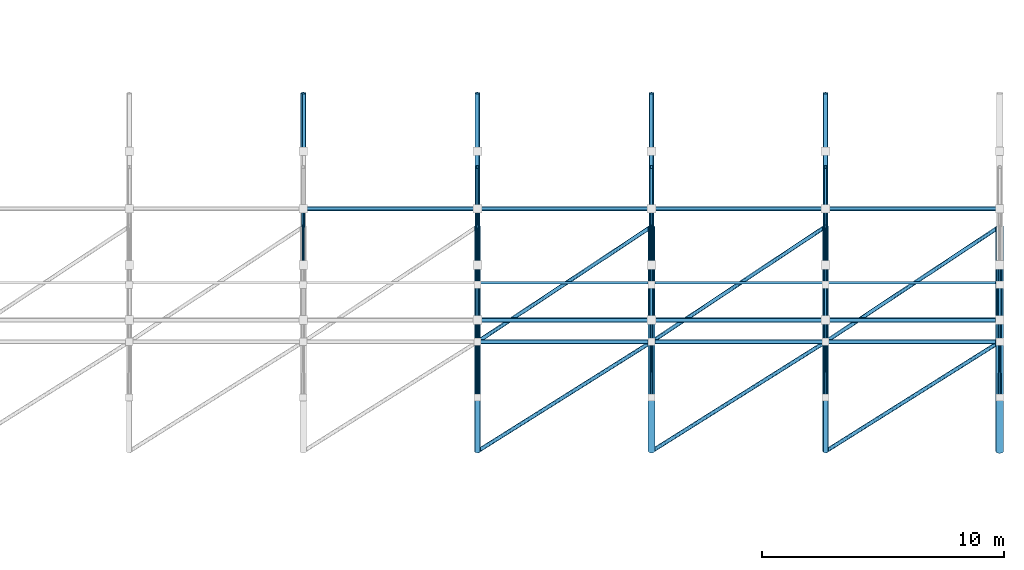
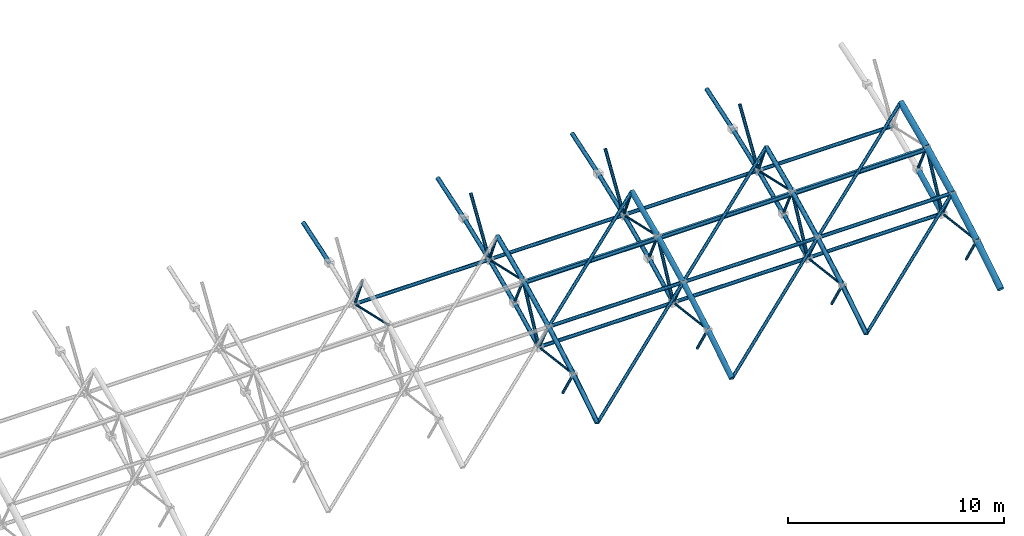
# One storey, part 53 of 89: 80 members.
"""IFC4 building model written with IfcOpenShell, lengths in metres."""

from ifc_helpers import new_model, si_unit, direction, frame, origin, origin_2d, place, context, subcontext, project, spatial, hollow_circle, i_section, extrude, material, material_profile, profile_set, type_object, element, save


model = new_model("IFC4")

# Units and contexts
model_context = context("Model", 3, precision=1e-05, world=origin(), true_north=direction((0.0, 1.0)))
body_context = subcontext(model_context, "Body", "Model", "MODEL_VIEW")
ifc_project = project(units=[si_unit("LENGTHUNIT", "METRE"), si_unit("AREAUNIT", "SQUARE_METRE"), si_unit("VOLUMEUNIT", "CUBIC_METRE"), si_unit("PLANEANGLEUNIT", "RADIAN"), si_unit("MASSUNIT", "GRAM", prefix="KILO")], contexts=[model_context])

# Site, building, storey
site_placement = place(None, origin())
site = spatial("IfcSite", under=ifc_project, at=site_placement, CompositionType="ELEMENT")
building_placement = place(site_placement, origin())
building = spatial("IfcBuilding", under=site, at=building_placement, Name="Malvenik Polytechnic", CompositionType="ELEMENT")
storey_placement = place(building_placement, frame((0.0, 0.0, 13.5)))
storey = spatial("IfcBuildingStorey", under=building, at=storey_placement, Name="L03", CompositionType="ELEMENT", Elevation=13.5)

# Members
ifc_material_1 = material(Name="Steel S355J2H", Category="steel")
ifc_material_profile_1 = material_profile(ifc_material_1, hollow_circle(Radius=0.136474609375, WallThickness=0.010009765625, at=origin_2d()), Name="CHS 273.0x10.0")
ifc_profile_set_1 = profile_set([ifc_material_profile_1], Name="Steel S355J2H")
member_type_1 = type_object("IfcMemberType", Name="STR-MEM-SFB-01", PredefinedType="CHORD", material=ifc_profile_set_1)
member_1_placement = place(storey_placement, frame((184.800048828125, 40.3701171875, 0.5078125), z_axis=(0.0, 0.894003091433, 0.448060791086), x_axis=(-1.0, 0.0, 0.0)))
element("IfcMember", 1, at=member_1_placement, inside=storey, type_object=member_type_1, Name="Space-Frame Tube SFB-01 STR-SF-BC-0684", PredefinedType="CHORD", context=body_context, shape_type="SweptSolid", body=[
    extrude(hollow_circle(Radius=0.136474609375, WallThickness=0.010009765625, at=origin_2d()), origin(), (0.0, 0.0, 1.0), 2.535400390625),
])
ifc_material_profile_2 = material_profile(ifc_material_1, hollow_circle(Radius=0.109619140625, WallThickness=0.010009765625, at=origin_2d()), Name="CHS 219.1x10.0")
ifc_profile_set_2 = profile_set([ifc_material_profile_2], Name="Steel S355J2H")
member_type_2 = type_object("IfcMemberType", Name="STR-MEM-SFB-02", PredefinedType="CHORD", material=ifc_profile_set_2)
member_2_placement = place(storey_placement, frame((156.0, 47.3447265625, 3.58642578125), z_axis=(0.0, 0.949889677261, 0.312585349999), x_axis=(-1.0, 0.0, 0.0)))
element("IfcMember", 2, at=member_2_placement, inside=storey, type_object=member_type_2, Name="Space-Frame Tube SFB-02 STR-SF-BC-0302", PredefinedType="CHORD", context=body_context, shape_type="SweptSolid", body=[
    extrude(hollow_circle(Radius=0.109619140625, WallThickness=0.010009765625, at=origin_2d()), origin(), (0.0, 0.0, 1.0), 2.53515625),
])
for number, where, z_axis, x_axis, name in (
    (3, (170.39990234375, 40.3701171875, 0.5078125), (0.0, 0.894003091433, 0.448060791086), (-1.0, 0.0, 0.0), "Space-Frame Tube SFB-02 STR-SF-BC-0490"),
    (4, (170.39990234375, 42.643798828125, 1.647216796875), (0.0, 0.914781782252, 0.403948376479), (-1.0, 0.0, 0.0), "Space-Frame Tube SFB-02 STR-SF-BC-0492"),
    (5, (170.39990234375, 44.970458984375, 2.67431640625), (0.0, 0.933457240212, 0.358688696079), (-1.0, 0.0, 0.0), "Space-Frame Tube SFB-02 STR-SF-BC-0494"),
):
    element("IfcMember", number, at=place(storey_placement, frame(where, z_axis=z_axis, x_axis=x_axis)), inside=storey, type_object=member_type_2, Name=name, PredefinedType="CHORD", context=body_context, shape_type="SweptSolid", body=[
        extrude(hollow_circle(Radius=0.109619140625, WallThickness=0.010009765625, at=origin_2d()), origin(), (0.0, 0.0, 1.0), 2.535400390625),
    ])
member_3_placement = place(storey_placement, frame((170.39990234375, 47.3447265625, 3.58642578125), z_axis=(0.0, 0.949889677261, 0.312585349999), x_axis=(-1.0, 0.0, 0.0)))
element("IfcMember", 6, at=member_3_placement, inside=storey, type_object=member_type_2, Name="Space-Frame Tube SFB-02 STR-SF-BC-0496", PredefinedType="CHORD", context=body_context, shape_type="SweptSolid", body=[
    extrude(hollow_circle(Radius=0.109619140625, WallThickness=0.010009765625, at=origin_2d()), origin(), (0.0, 0.0, 1.0), 2.53515625),
])
ifc_material_profile_3 = material_profile(ifc_material_1, hollow_circle(Radius=0.109619140625, WallThickness=0.008056640625, at=origin_2d()), Name="CHS 219.1x8.0")
ifc_profile_set_3 = profile_set([ifc_material_profile_3], Name="Steel S355J2H")
member_type_3 = type_object("IfcMemberType", Name="STR-MEM-SFB-03", PredefinedType="CHORD", material=ifc_profile_set_3)
for number, where, z_axis, x_axis, name in (
    (7, (163.199951171875, 40.3701171875, 0.5078125), (0.0, 0.894003091433, 0.448060791086), (-1.0, 0.0, 0.0), "Space-Frame Tube SFB-03 STR-SF-BC-0393"),
    (8, (163.199951171875, 42.643798828125, 1.647216796875), (0.0, 0.914781782252, 0.403948376479), (-1.0, 0.0, 0.0), "Space-Frame Tube SFB-03 STR-SF-BC-0395"),
    (9, (163.199951171875, 44.970458984375, 2.67431640625), (0.0, 0.933457240212, 0.358688696079), (-1.0, 0.0, 0.0), "Space-Frame Tube SFB-03 STR-SF-BC-0397"),
):
    element("IfcMember", number, at=place(storey_placement, frame(where, z_axis=z_axis, x_axis=x_axis)), inside=storey, type_object=member_type_3, Name=name, PredefinedType="CHORD", context=body_context, shape_type="SweptSolid", body=[
        extrude(hollow_circle(Radius=0.109619140625, WallThickness=0.008056640625, at=origin_2d()), origin(), (0.0, 0.0, 1.0), 2.535400390625),
    ])
member_4_placement = place(storey_placement, frame((163.199951171875, 47.3447265625, 3.58642578125), z_axis=(0.0, 0.949889677261, 0.312585349999), x_axis=(-1.0, 0.0, 0.0)))
element("IfcMember", 10, at=member_4_placement, inside=storey, type_object=member_type_3, Name="Space-Frame Tube SFB-03 STR-SF-BC-0399", PredefinedType="CHORD", context=body_context, shape_type="SweptSolid", body=[
    extrude(hollow_circle(Radius=0.109619140625, WallThickness=0.008056640625, at=origin_2d()), origin(), (0.0, 0.0, 1.0), 2.53515625),
])
for number, where, z_axis, x_axis, name in (
    (11, (177.60009765625, 40.3701171875, 0.5078125), (0.0, 0.894003091433, 0.448060791086), (-1.0, 0.0, 0.0), "Space-Frame Tube SFB-03 STR-SF-BC-0587"),
    (12, (177.60009765625, 42.643798828125, 1.647216796875), (0.0, 0.914781782252, 0.403948376479), (-1.0, 0.0, 0.0), "Space-Frame Tube SFB-03 STR-SF-BC-0589"),
    (13, (177.60009765625, 44.970458984375, 2.67431640625), (0.0, 0.933457240212, 0.358688696079), (-1.0, 0.0, 0.0), "Space-Frame Tube SFB-03 STR-SF-BC-0591"),
):
    element("IfcMember", number, at=place(storey_placement, frame(where, z_axis=z_axis, x_axis=x_axis)), inside=storey, type_object=member_type_3, Name=name, PredefinedType="CHORD", context=body_context, shape_type="SweptSolid", body=[
        extrude(hollow_circle(Radius=0.109619140625, WallThickness=0.008056640625, at=origin_2d()), origin(), (0.0, 0.0, 1.0), 2.535400390625),
    ])
member_5_placement = place(storey_placement, frame((177.60009765625, 47.3447265625, 3.58642578125), z_axis=(0.0, 0.949889677261, 0.312585349999), x_axis=(-1.0, 0.0, 0.0)))
element("IfcMember", 14, at=member_5_placement, inside=storey, type_object=member_type_3, Name="Space-Frame Tube SFB-03 STR-SF-BC-0593", PredefinedType="CHORD", context=body_context, shape_type="SweptSolid", body=[
    extrude(hollow_circle(Radius=0.109619140625, WallThickness=0.008056640625, at=origin_2d()), origin(), (0.0, 0.0, 1.0), 2.53515625),
])
ifc_material_profile_4 = material_profile(ifc_material_1, hollow_circle(Radius=0.084228515625, WallThickness=0.00634765625, at=origin_2d()), Name="CHS 168.3x6.3")
ifc_profile_set_4 = profile_set([ifc_material_profile_4], Name="Steel S355J2H")
member_type_4 = type_object("IfcMemberType", Name="STR-MEM-SFD-02", PredefinedType="BRACE", material=ifc_profile_set_4)
member_6_placement = place(storey_placement, frame((163.199951171875, 40.368408203125, 0.509521484375), z_axis=(0.0, 0.450365953403, 0.892844055821), x_axis=(-1.0, 0.0, 0.0)))
element("IfcMember", 15, at=member_6_placement, inside=storey, type_object=member_type_4, Name="Space-Frame Tube SFD-02 STR-SF-AD-0464", PredefinedType="BRACE", context=body_context, shape_type="SweptSolid", body=[
    extrude(hollow_circle(Radius=0.084228515625, WallThickness=0.00634765625, at=origin_2d()), origin(), (0.0, 0.0, 1.0), 3.218994140625),
])
member_7_placement = place(storey_placement, frame((163.199951171875, 44.968994140625, 2.676513671875), z_axis=(0.0, 0.535421954328, 0.844584709087), x_axis=(-1.0, 0.0, 0.0)))
element("IfcMember", 16, at=member_7_placement, inside=storey, type_object=member_type_4, Name="Space-Frame Tube SFD-02 STR-SF-AD-0466", PredefinedType="BRACE", context=body_context, shape_type="SweptSolid", body=[
    extrude(hollow_circle(Radius=0.084228515625, WallThickness=0.00634765625, at=origin_2d()), origin(), (0.0, 0.0, 1.0), 3.21875),
])
member_8_placement = place(storey_placement, frame((170.39990234375, 40.368408203125, 0.509521484375), z_axis=(0.0, 0.450365953403, 0.892844055821), x_axis=(-1.0, 0.0, 0.0)))
element("IfcMember", 17, at=member_8_placement, inside=storey, type_object=member_type_4, Name="Space-Frame Tube SFD-02 STR-SF-AD-0561", PredefinedType="BRACE", context=body_context, shape_type="SweptSolid", body=[
    extrude(hollow_circle(Radius=0.084228515625, WallThickness=0.00634765625, at=origin_2d()), origin(), (0.0, 0.0, 1.0), 3.218994140625),
])
member_9_placement = place(storey_placement, frame((170.39990234375, 44.968994140625, 2.676513671875), z_axis=(0.0, 0.535421954328, 0.844584709087), x_axis=(-1.0, 0.0, 0.0)))
element("IfcMember", 18, at=member_9_placement, inside=storey, type_object=member_type_4, Name="Space-Frame Tube SFD-02 STR-SF-AD-0563", PredefinedType="BRACE", context=body_context, shape_type="SweptSolid", body=[
    extrude(hollow_circle(Radius=0.084228515625, WallThickness=0.00634765625, at=origin_2d()), origin(), (0.0, 0.0, 1.0), 3.21875),
])
member_10_placement = place(storey_placement, frame((177.60009765625, 40.368408203125, 0.509521484375), z_axis=(0.0, 0.450365953403, 0.892844055821), x_axis=(-1.0, 0.0, 0.0)))
element("IfcMember", 19, at=member_10_placement, inside=storey, type_object=member_type_4, Name="Space-Frame Tube SFD-02 STR-SF-AD-0658", PredefinedType="BRACE", context=body_context, shape_type="SweptSolid", body=[
    extrude(hollow_circle(Radius=0.084228515625, WallThickness=0.00634765625, at=origin_2d()), origin(), (0.0, 0.0, 1.0), 3.218994140625),
])
member_11_placement = place(storey_placement, frame((177.60009765625, 44.968994140625, 2.676513671875), z_axis=(0.0, 0.535421954328, 0.844584709087), x_axis=(-1.0, 0.0, 0.0)))
element("IfcMember", 20, at=member_11_placement, inside=storey, type_object=member_type_4, Name="Space-Frame Tube SFD-02 STR-SF-AD-0660", PredefinedType="BRACE", context=body_context, shape_type="SweptSolid", body=[
    extrude(hollow_circle(Radius=0.084228515625, WallThickness=0.00634765625, at=origin_2d()), origin(), (0.0, 0.0, 1.0), 3.21875),
])
member_12_placement = place(storey_placement, frame((184.800048828125, 40.368408203125, 0.509521484375), z_axis=(0.0, 0.450365953403, 0.892844055821), x_axis=(-1.0, 0.0, 0.0)))
element("IfcMember", 21, at=member_12_placement, inside=storey, type_object=member_type_4, Name="Space-Frame Tube SFD-02 STR-SF-AD-0755", PredefinedType="BRACE", context=body_context, shape_type="SweptSolid", body=[
    extrude(hollow_circle(Radius=0.084228515625, WallThickness=0.00634765625, at=origin_2d()), origin(), (0.0, 0.0, 1.0), 3.218994140625),
])
for number, where, z_axis, x_axis, name in (
    (22, (163.203125, 34.935791015625, -0.49609375), (0.806747277077, 0.507403378204, 0.302821139809), (-0.532400985757, 0.846492286064, 0.0), "Space-Frame Tube SFD-02 STR-SF-SD-0971"),
    (23, (163.203125, 39.464111328125, 2.206298828125), (0.806760787968, 0.534545761531, 0.251789316347), (-0.552341045188, 0.833618239844, 0.0), "Space-Frame Tube SFD-02 STR-SF-SD-0972"),
):
    element("IfcMember", number, at=place(storey_placement, frame(where, z_axis=z_axis, x_axis=x_axis)), inside=storey, type_object=member_type_4, Name=name, PredefinedType="BRACE", context=body_context, shape_type="SweptSolid", body=[
        extrude(hollow_circle(Radius=0.084228515625, WallThickness=0.00634765625, at=origin_2d()), origin(), (0.0, 0.0, 1.0), 8.916748046875),
    ])
for number, where, z_axis, x_axis, name in (
    (24, (170.4033203125, 34.935791015625, -0.49609375), (0.806737716844, 0.507414586226, 0.302827828818), (-0.532413933286, 0.846484142582, 0.0), "Space-Frame Tube SFD-02 STR-SF-SD-1013"),
    (25, (170.4033203125, 39.464111328125, 2.206298828125), (0.806751228172, 0.534557569495, 0.251794878301), (-0.552354072154, 0.833609608255, 0.0), "Space-Frame Tube SFD-02 STR-SF-SD-1014"),
):
    element("IfcMember", number, at=place(storey_placement, frame(where, z_axis=z_axis, x_axis=x_axis)), inside=storey, type_object=member_type_4, Name=name, PredefinedType="BRACE", context=body_context, shape_type="SweptSolid", body=[
        extrude(hollow_circle(Radius=0.084228515625, WallThickness=0.00634765625, at=origin_2d()), origin(), (0.0, 0.0, 1.0), 8.91650390625),
    ])
for number, where, z_axis, x_axis, name in (
    (26, (177.603271484375, 34.935791015625, -0.49609375), (0.806747277077, 0.507403378204, 0.302821139809), (-0.532400985757, 0.846492286064, 0.0), "Space-Frame Tube SFD-02 STR-SF-SD-1055"),
    (27, (177.603271484375, 39.464111328125, 2.206298828125), (0.806760787968, 0.534545761531, 0.251789316347), (-0.552341045188, 0.833618239844, 0.0), "Space-Frame Tube SFD-02 STR-SF-SD-1056"),
):
    element("IfcMember", number, at=place(storey_placement, frame(where, z_axis=z_axis, x_axis=x_axis)), inside=storey, type_object=member_type_4, Name=name, PredefinedType="BRACE", context=body_context, shape_type="SweptSolid", body=[
        extrude(hollow_circle(Radius=0.084228515625, WallThickness=0.00634765625, at=origin_2d()), origin(), (0.0, 0.0, 1.0), 8.916748046875),
    ])
ifc_material_profile_5 = material_profile(ifc_material_1, hollow_circle(Radius=0.06982421875, WallThickness=0.00634765625, at=origin_2d()), Name="CHS 139.7x6.3")
ifc_profile_set_5 = profile_set([ifc_material_profile_5], Name="Steel S355J2H")
member_type_5 = type_object("IfcMemberType", Name="STR-MEM-SFD-03", PredefinedType="BRACE", material=ifc_profile_set_5)
for number, where, z_axis, x_axis, name in (
    (28, (156.0, 44.96533203125, 2.6767578125), (0.0, -0.381447924526, 0.924390329285), (1.0, 0.0, 0.0), "Space-Frame Tube SFD-03 STR-SF-WB-0344"),
    (29, (163.199951171875, 38.1494140625, -0.740234375), (0.0, -0.512452965651, 0.858715295075), (1.0, 0.0, 0.0), "Space-Frame Tube SFD-03 STR-SF-WB-0438"),
    (30, (163.199951171875, 40.36474609375, 0.509521484375), (0.0, -0.469841077687, 0.882751019097), (1.0, 0.0, 0.0), "Space-Frame Tube SFD-03 STR-SF-WB-0439"),
    (31, (163.199951171875, 42.638427734375, 1.6494140625), (0.0, -0.426152750684, 0.904651221789), (1.0, 0.0, 0.0), "Space-Frame Tube SFD-03 STR-SF-WB-0440"),
    (32, (163.199951171875, 44.96533203125, 2.6767578125), (0.0, -0.381447924526, 0.924390329285), (1.0, 0.0, 0.0), "Space-Frame Tube SFD-03 STR-SF-WB-0441"),
    (33, (170.39990234375, 38.1494140625, -0.740234375), (0.0, -0.512452965651, 0.858715295075), (1.0, 0.0, 0.0), "Space-Frame Tube SFD-03 STR-SF-WB-0535"),
    (34, (170.39990234375, 40.36474609375, 0.509521484375), (0.0, -0.469841077687, 0.882751019097), (1.0, 0.0, 0.0), "Space-Frame Tube SFD-03 STR-SF-WB-0536"),
    (35, (170.39990234375, 42.638427734375, 1.6494140625), (0.0, -0.426152750684, 0.904651221789), (1.0, 0.0, 0.0), "Space-Frame Tube SFD-03 STR-SF-WB-0537"),
    (36, (170.39990234375, 44.96533203125, 2.6767578125), (0.0, -0.381447924526, 0.924390329285), (1.0, 0.0, 0.0), "Space-Frame Tube SFD-03 STR-SF-WB-0538"),
    (37, (177.60009765625, 38.1494140625, -0.740234375), (0.0, -0.512452965651, 0.858715295075), (1.0, 0.0, 0.0), "Space-Frame Tube SFD-03 STR-SF-WB-0632"),
    (38, (177.60009765625, 40.36474609375, 0.509521484375), (0.0, -0.469841077687, 0.882751019097), (1.0, 0.0, 0.0), "Space-Frame Tube SFD-03 STR-SF-WB-0633"),
    (39, (177.60009765625, 42.638427734375, 1.6494140625), (0.0, -0.426152750684, 0.904651221789), (1.0, 0.0, 0.0), "Space-Frame Tube SFD-03 STR-SF-WB-0634"),
    (40, (177.60009765625, 44.96533203125, 2.6767578125), (0.0, -0.381447924526, 0.924390329285), (1.0, 0.0, 0.0), "Space-Frame Tube SFD-03 STR-SF-WB-0635"),
    (41, (184.800048828125, 38.1494140625, -0.740234375), (0.0, -0.512452965651, 0.858715295075), (1.0, 0.0, 0.0), "Space-Frame Tube SFD-03 STR-SF-WB-0729"),
    (42, (184.800048828125, 40.36474609375, 0.509521484375), (0.0, -0.469841077687, 0.882751019097), (1.0, 0.0, 0.0), "Space-Frame Tube SFD-03 STR-SF-WB-0730"),
    (43, (184.800048828125, 42.638427734375, 1.6494140625), (0.0, -0.426152750684, 0.904651221789), (1.0, 0.0, 0.0), "Space-Frame Tube SFD-03 STR-SF-WB-0731"),
):
    element("IfcMember", number, at=place(storey_placement, frame(where, z_axis=z_axis, x_axis=x_axis)), inside=storey, type_object=member_type_5, Name=name, PredefinedType="BRACE", context=body_context, shape_type="SweptSolid", body=[
        extrude(hollow_circle(Radius=0.06982421875, WallThickness=0.00634765625, at=origin_2d()), origin(), (0.0, 0.0, 1.0), 1.9169921875),
    ])
ifc_material_profile_6 = material_profile(ifc_material_1, hollow_circle(Radius=0.05712890625, WallThickness=0.0048828125, at=origin_2d()), Name="CHS 114.3x5.0")
ifc_profile_set_6 = profile_set([ifc_material_profile_6], Name="Steel S355J2H")
member_type_6 = type_object("IfcMemberType", Name="STR-MEM-SFD-04", PredefinedType="BRACE", material=ifc_profile_set_6)
member_13_placement = place(storey_placement, frame((156.0, 41.82373046875, 3.38623046875), z_axis=(0.0, 0.975202839924, -0.221312948118), x_axis=(-1.0, 0.0, 0.0)))
element("IfcMember", 44, at=member_13_placement, inside=storey, type_object=member_type_6, Name="Space-Frame Tube SFD-04 STR-SF-AD-0368", PredefinedType="BRACE", context=body_context, shape_type="SweptSolid", body=[
    extrude(hollow_circle(Radius=0.05712890625, WallThickness=0.0048828125, at=origin_2d()), origin(), (0.0, 0.0, 1.0), 3.218994140625),
])
member_14_placement = place(storey_placement, frame((163.199951171875, 37.1689453125, 0.908935546875), z_axis=(0.0, 0.992157222226, -0.124996185477), x_axis=(-1.0, 0.0, 0.0)))
element("IfcMember", 45, at=member_14_placement, inside=storey, type_object=member_type_6, Name="Space-Frame Tube SFD-04 STR-SF-AD-0463", PredefinedType="BRACE", context=body_context, shape_type="SweptSolid", body=[
    extrude(hollow_circle(Radius=0.05712890625, WallThickness=0.0048828125, at=origin_2d()), origin(), (0.0, 0.0, 1.0), 3.21875),
])
member_15_placement = place(storey_placement, frame((163.199951171875, 41.82373046875, 3.38623046875), z_axis=(0.0, 0.975202839924, -0.221312948118), x_axis=(-1.0, 0.0, 0.0)))
element("IfcMember", 46, at=member_15_placement, inside=storey, type_object=member_type_6, Name="Space-Frame Tube SFD-04 STR-SF-AD-0465", PredefinedType="BRACE", context=body_context, shape_type="SweptSolid", body=[
    extrude(hollow_circle(Radius=0.05712890625, WallThickness=0.0048828125, at=origin_2d()), origin(), (0.0, 0.0, 1.0), 3.218994140625),
])
member_16_placement = place(storey_placement, frame((170.39990234375, 37.1689453125, 0.908935546875), z_axis=(0.0, 0.992157222226, -0.124996185477), x_axis=(-1.0, 0.0, 0.0)))
element("IfcMember", 47, at=member_16_placement, inside=storey, type_object=member_type_6, Name="Space-Frame Tube SFD-04 STR-SF-AD-0560", PredefinedType="BRACE", context=body_context, shape_type="SweptSolid", body=[
    extrude(hollow_circle(Radius=0.05712890625, WallThickness=0.0048828125, at=origin_2d()), origin(), (0.0, 0.0, 1.0), 3.21875),
])
member_17_placement = place(storey_placement, frame((170.39990234375, 41.82373046875, 3.38623046875), z_axis=(0.0, 0.975202839924, -0.221312948118), x_axis=(-1.0, 0.0, 0.0)))
element("IfcMember", 48, at=member_17_placement, inside=storey, type_object=member_type_6, Name="Space-Frame Tube SFD-04 STR-SF-AD-0562", PredefinedType="BRACE", context=body_context, shape_type="SweptSolid", body=[
    extrude(hollow_circle(Radius=0.05712890625, WallThickness=0.0048828125, at=origin_2d()), origin(), (0.0, 0.0, 1.0), 3.218994140625),
])
member_18_placement = place(storey_placement, frame((177.60009765625, 37.1689453125, 0.908935546875), z_axis=(0.0, 0.992157222226, -0.124996185477), x_axis=(-1.0, 0.0, 0.0)))
element("IfcMember", 49, at=member_18_placement, inside=storey, type_object=member_type_6, Name="Space-Frame Tube SFD-04 STR-SF-AD-0657", PredefinedType="BRACE", context=body_context, shape_type="SweptSolid", body=[
    extrude(hollow_circle(Radius=0.05712890625, WallThickness=0.0048828125, at=origin_2d()), origin(), (0.0, 0.0, 1.0), 3.21875),
])
member_19_placement = place(storey_placement, frame((177.60009765625, 41.82373046875, 3.38623046875), z_axis=(0.0, 0.975202839924, -0.221312948118), x_axis=(-1.0, 0.0, 0.0)))
element("IfcMember", 50, at=member_19_placement, inside=storey, type_object=member_type_6, Name="Space-Frame Tube SFD-04 STR-SF-AD-0659", PredefinedType="BRACE", context=body_context, shape_type="SweptSolid", body=[
    extrude(hollow_circle(Radius=0.05712890625, WallThickness=0.0048828125, at=origin_2d()), origin(), (0.0, 0.0, 1.0), 3.218994140625),
])
member_20_placement = place(storey_placement, frame((184.800048828125, 37.1689453125, 0.908935546875), z_axis=(0.0, 0.992157222226, -0.124996185477), x_axis=(-1.0, 0.0, 0.0)))
element("IfcMember", 51, at=member_20_placement, inside=storey, type_object=member_type_6, Name="Space-Frame Tube SFD-04 STR-SF-AD-0754", PredefinedType="BRACE", context=body_context, shape_type="SweptSolid", body=[
    extrude(hollow_circle(Radius=0.05712890625, WallThickness=0.0048828125, at=origin_2d()), origin(), (0.0, 0.0, 1.0), 3.21875),
])
ifc_material_profile_7 = material_profile(ifc_material_1, hollow_circle(Radius=0.096923828125, WallThickness=0.008056640625, at=origin_2d()), Name="CHS 193.7x8.0")
ifc_profile_set_7 = profile_set([ifc_material_profile_7], Name="Steel S355J2H")
member_type_7 = type_object("IfcMemberType", Name="STR-MEM-SFL-01", PredefinedType="CHORD", material=ifc_profile_set_7)
member_21_placement = place(storey_placement, frame((156.00390625, 44.966796875, 2.673095703125), z_axis=(1.0, 0.0, 0.0), x_axis=(0.0, 1.0, 0.0)))
element("IfcMember", 52, at=member_21_placement, inside=storey, type_object=member_type_7, Name="Space-Frame Tube SFL-01 STR-SF-LB-0907", PredefinedType="CHORD", context=body_context, shape_type="SweptSolid", body=[
    extrude(hollow_circle(Radius=0.096923828125, WallThickness=0.008056640625, at=origin_2d()), origin(), (0.0, 0.0, 1.0), 7.192138671875),
])
for number, where, z_axis, x_axis, name in (
    (53, (163.2041015625, 40.36669921875, 0.506103515625), (1.0, 0.0, 0.0), (0.0, 1.0, 0.0), "Space-Frame Tube SFL-01 STR-SF-LB-0947"),
    (54, (163.2041015625, 39.462158203125, 2.205078125), (1.0, 0.0, 0.0), (0.0, 1.0, 0.0), "Space-Frame Tube SFL-01 STR-SF-LT-0948"),
    (55, (163.2041015625, 44.966796875, 2.673095703125), (1.0, 0.0, 0.0), (0.0, 1.0, 0.0), "Space-Frame Tube SFL-01 STR-SF-LB-0949"),
    (56, (170.404052734375, 40.36669921875, 0.506103515625), (1.0, 0.0, 0.0), (0.0, 1.0, 0.0), "Space-Frame Tube SFL-01 STR-SF-LB-0989"),
    (57, (170.404052734375, 39.462158203125, 2.205078125), (1.0, 0.0, 0.0), (0.0, 1.0, 0.0), "Space-Frame Tube SFL-01 STR-SF-LT-0990"),
    (58, (170.404052734375, 44.966796875, 2.673095703125), (1.0, 0.0, 0.0), (0.0, 1.0, 0.0), "Space-Frame Tube SFL-01 STR-SF-LB-0991"),
    (59, (177.60400390625, 40.36669921875, 0.506103515625), (1.0, 0.0, 0.0), (0.0, 1.0, 0.0), "Space-Frame Tube SFL-01 STR-SF-LB-1031"),
    (60, (177.60400390625, 39.462158203125, 2.205078125), (1.0, 0.0, 0.0), (0.0, 1.0, 0.0), "Space-Frame Tube SFL-01 STR-SF-LT-1032"),
    (61, (177.60400390625, 44.966796875, 2.673095703125), (1.0, 0.0, 0.0), (0.0, 1.0, 0.0), "Space-Frame Tube SFL-01 STR-SF-LB-1033"),
):
    element("IfcMember", number, at=place(storey_placement, frame(where, z_axis=z_axis, x_axis=x_axis)), inside=storey, type_object=member_type_7, Name=name, PredefinedType="CHORD", context=body_context, shape_type="SweptSolid", body=[
        extrude(hollow_circle(Radius=0.096923828125, WallThickness=0.008056640625, at=origin_2d()), origin(), (0.0, 0.0, 1.0), 7.19189453125),
    ])
ifc_material_2 = material(Name="Steel S355", Category="steel")
ifc_material_profile_8 = material_profile(ifc_material_2, i_section(OverallWidth=0.1201171875, OverallDepth=0.239990234375, WebThickness=0.006103515625, FlangeThickness=0.009765625, FilletRadius=0.014892578125, at=origin_2d()), Name="IPE 240")
ifc_profile_set_8 = profile_set([ifc_material_profile_8], Name="Steel S355")
member_type_8 = type_object("IfcMemberType", Name="STR-MEM-SFP-01", PredefinedType="PURLIN", material=ifc_profile_set_8)
member_22_placement = place(storey_placement, frame((163.219970703125, 41.9072265625, 3.201904296875), z_axis=(1.0, 0.0, 0.0), x_axis=(0.0, 1.0, 0.0)))
element("IfcMember", 62, at=member_22_placement, inside=storey, type_object=member_type_8, Name="Vault Roof Purlin SFP-01 #983", PredefinedType="PURLIN", context=body_context, shape_type="SweptSolid", body=[
    extrude(i_section(OverallWidth=0.1201171875, OverallDepth=0.239990234375, WebThickness=0.006103515625, FlangeThickness=0.009765625, FilletRadius=0.014892578125, at=origin_2d()), origin(), (0.0, 0.0, 1.0), 7.159912109375),
])
member_23_placement = place(storey_placement, frame((170.419921875, 41.9072265625, 3.201904296875), z_axis=(1.0, 0.0, 0.0), x_axis=(0.0, 1.0, 0.0)))
element("IfcMember", 63, at=member_23_placement, inside=storey, type_object=member_type_8, Name="Vault Roof Purlin SFP-01 #1025", PredefinedType="PURLIN", context=body_context, shape_type="SweptSolid", body=[
    extrude(i_section(OverallWidth=0.1201171875, OverallDepth=0.239990234375, WebThickness=0.006103515625, FlangeThickness=0.009765625, FilletRadius=0.014892578125, at=origin_2d()), origin(), (0.0, 0.0, 1.0), 7.16015625),
])
member_24_placement = place(storey_placement, frame((177.6201171875, 41.9072265625, 3.201904296875), z_axis=(1.0, 0.0, 0.0), x_axis=(0.0, 1.0, 0.0)))
element("IfcMember", 64, at=member_24_placement, inside=storey, type_object=member_type_8, Name="Vault Roof Purlin SFP-01 #1067", PredefinedType="PURLIN", context=body_context, shape_type="SweptSolid", body=[
    extrude(i_section(OverallWidth=0.1201171875, OverallDepth=0.239990234375, WebThickness=0.006103515625, FlangeThickness=0.009765625, FilletRadius=0.014892578125, at=origin_2d()), origin(), (0.0, 0.0, 1.0), 7.159912109375),
])
ifc_material_profile_9 = material_profile(ifc_material_1, hollow_circle(Radius=0.136474609375, WallThickness=0.012451171875, at=origin_2d()), Name="CHS 273.0x12.5")
ifc_profile_set_9 = profile_set([ifc_material_profile_9], Name="Steel S355J2H")
member_type_9 = type_object("IfcMemberType", Name="STR-MEM-SFT-02", PredefinedType="CHORD", material=ifc_profile_set_9)
member_25_placement = place(storey_placement, frame((170.39990234375, 34.937255859375, -0.4951171875), z_axis=(0.0, 0.845921049745, 0.53330814507), x_axis=(-1.0, 0.0, 0.0)))
element("IfcMember", 65, at=member_25_placement, inside=storey, type_object=member_type_9, Name="Space-Frame Tube SFT-02 STR-SF-TC-0487", PredefinedType="CHORD", context=body_context, shape_type="SweptSolid", body=[
    extrude(hollow_circle(Radius=0.136474609375, WallThickness=0.012451171875, at=origin_2d()), origin(), (0.0, 0.0, 1.0), 2.629638671875),
])
member_26_placement = place(storey_placement, frame((170.39990234375, 37.16845703125, 0.911376953125), z_axis=(0.0, 0.870989675079, 0.491301318853), x_axis=(-1.0, 0.0, 0.0)))
element("IfcMember", 66, at=member_26_placement, inside=storey, type_object=member_type_9, Name="Space-Frame Tube SFT-02 STR-SF-TC-0489", PredefinedType="CHORD", context=body_context, shape_type="SweptSolid", body=[
    extrude(hollow_circle(Radius=0.136474609375, WallThickness=0.012451171875, at=origin_2d()), origin(), (0.0, 0.0, 1.0), 2.629150390625),
])
member_27_placement = place(storey_placement, frame((170.39990234375, 39.4658203125, 2.20703125), z_axis=(0.0, 0.893943858367, 0.448178957659), x_axis=(-1.0, 0.0, 0.0)))
element("IfcMember", 67, at=member_27_placement, inside=storey, type_object=member_type_9, Name="Space-Frame Tube SFT-02 STR-SF-TC-0491", PredefinedType="CHORD", context=body_context, shape_type="SweptSolid", body=[
    extrude(hollow_circle(Radius=0.136474609375, WallThickness=0.012451171875, at=origin_2d()), origin(), (0.0, 0.0, 1.0), 2.62939453125),
])
member_28_placement = place(storey_placement, frame((170.39990234375, 41.823486328125, 3.388916015625), z_axis=(0.0, 0.91481188125, 0.403880207393), x_axis=(-1.0, 0.0, 0.0)))
element("IfcMember", 68, at=member_28_placement, inside=storey, type_object=member_type_9, Name="Space-Frame Tube SFT-02 STR-SF-TC-0493", PredefinedType="CHORD", context=body_context, shape_type="SweptSolid", body=[
    extrude(hollow_circle(Radius=0.136474609375, WallThickness=0.012451171875, at=origin_2d()), origin(), (0.0, 0.0, 1.0), 2.629638671875),
])
ifc_material_profile_10 = material_profile(ifc_material_1, hollow_circle(Radius=0.122314453125, WallThickness=0.010009765625, at=origin_2d()), Name="CHS 244.5x10.0")
ifc_profile_set_10 = profile_set([ifc_material_profile_10], Name="Steel S355J2H")
member_type_10 = type_object("IfcMemberType", Name="STR-MEM-SFT-03", PredefinedType="CHORD", material=ifc_profile_set_10)
member_29_placement = place(storey_placement, frame((163.199951171875, 34.937255859375, -0.4951171875), z_axis=(0.0, 0.845921049745, 0.53330814507), x_axis=(-1.0, 0.0, 0.0)))
element("IfcMember", 69, at=member_29_placement, inside=storey, type_object=member_type_10, Name="Space-Frame Tube SFT-03 STR-SF-TC-0390", PredefinedType="CHORD", context=body_context, shape_type="SweptSolid", body=[
    extrude(hollow_circle(Radius=0.122314453125, WallThickness=0.010009765625, at=origin_2d()), origin(), (0.0, 0.0, 1.0), 2.629638671875),
])
member_30_placement = place(storey_placement, frame((163.199951171875, 37.16845703125, 0.911376953125), z_axis=(0.0, 0.870989675079, 0.491301318853), x_axis=(-1.0, 0.0, 0.0)))
element("IfcMember", 70, at=member_30_placement, inside=storey, type_object=member_type_10, Name="Space-Frame Tube SFT-03 STR-SF-TC-0392", PredefinedType="CHORD", context=body_context, shape_type="SweptSolid", body=[
    extrude(hollow_circle(Radius=0.122314453125, WallThickness=0.010009765625, at=origin_2d()), origin(), (0.0, 0.0, 1.0), 2.629150390625),
])
member_31_placement = place(storey_placement, frame((163.199951171875, 39.4658203125, 2.20703125), z_axis=(0.0, 0.893943858367, 0.448178957659), x_axis=(-1.0, 0.0, 0.0)))
element("IfcMember", 71, at=member_31_placement, inside=storey, type_object=member_type_10, Name="Space-Frame Tube SFT-03 STR-SF-TC-0394", PredefinedType="CHORD", context=body_context, shape_type="SweptSolid", body=[
    extrude(hollow_circle(Radius=0.122314453125, WallThickness=0.010009765625, at=origin_2d()), origin(), (0.0, 0.0, 1.0), 2.62939453125),
])
for number, where, z_axis, x_axis, name in (
    (72, (163.199951171875, 41.823486328125, 3.388916015625), (0.0, 0.91481188125, 0.403880207393), (-1.0, 0.0, 0.0), "Space-Frame Tube SFT-03 STR-SF-TC-0396"),
    (73, (177.60009765625, 34.937255859375, -0.4951171875), (0.0, 0.845921049745, 0.53330814507), (-1.0, 0.0, 0.0), "Space-Frame Tube SFT-03 STR-SF-TC-0584"),
):
    element("IfcMember", number, at=place(storey_placement, frame(where, z_axis=z_axis, x_axis=x_axis)), inside=storey, type_object=member_type_10, Name=name, PredefinedType="CHORD", context=body_context, shape_type="SweptSolid", body=[
        extrude(hollow_circle(Radius=0.122314453125, WallThickness=0.010009765625, at=origin_2d()), origin(), (0.0, 0.0, 1.0), 2.629638671875),
    ])
member_32_placement = place(storey_placement, frame((177.60009765625, 37.16845703125, 0.911376953125), z_axis=(0.0, 0.870989675079, 0.491301318853), x_axis=(-1.0, 0.0, 0.0)))
element("IfcMember", 74, at=member_32_placement, inside=storey, type_object=member_type_10, Name="Space-Frame Tube SFT-03 STR-SF-TC-0586", PredefinedType="CHORD", context=body_context, shape_type="SweptSolid", body=[
    extrude(hollow_circle(Radius=0.122314453125, WallThickness=0.010009765625, at=origin_2d()), origin(), (0.0, 0.0, 1.0), 2.629150390625),
])
member_33_placement = place(storey_placement, frame((177.60009765625, 39.4658203125, 2.20703125), z_axis=(0.0, 0.893943858367, 0.448178957659), x_axis=(-1.0, 0.0, 0.0)))
element("IfcMember", 75, at=member_33_placement, inside=storey, type_object=member_type_10, Name="Space-Frame Tube SFT-03 STR-SF-TC-0588", PredefinedType="CHORD", context=body_context, shape_type="SweptSolid", body=[
    extrude(hollow_circle(Radius=0.122314453125, WallThickness=0.010009765625, at=origin_2d()), origin(), (0.0, 0.0, 1.0), 2.62939453125),
])
member_34_placement = place(storey_placement, frame((177.60009765625, 41.823486328125, 3.388916015625), z_axis=(0.0, 0.91481188125, 0.403880207393), x_axis=(-1.0, 0.0, 0.0)))
element("IfcMember", 76, at=member_34_placement, inside=storey, type_object=member_type_10, Name="Space-Frame Tube SFT-03 STR-SF-TC-0590", PredefinedType="CHORD", context=body_context, shape_type="SweptSolid", body=[
    extrude(hollow_circle(Radius=0.122314453125, WallThickness=0.010009765625, at=origin_2d()), origin(), (0.0, 0.0, 1.0), 2.629638671875),
])
ifc_material_profile_11 = material_profile(ifc_material_1, hollow_circle(Radius=0.161865234375, WallThickness=0.012451171875, at=origin_2d()), Name="CHS 323.9x12.5")
ifc_profile_set_11 = profile_set([ifc_material_profile_11], Name="Steel S355J2H")
member_type_11 = type_object("IfcMemberType", Name="STR-MEM-SFT-04", PredefinedType="CHORD", material=ifc_profile_set_11)
member_35_placement = place(storey_placement, frame((184.800048828125, 34.937255859375, -0.4951171875), z_axis=(0.0, 0.845921049745, 0.53330814507), x_axis=(-1.0, 0.0, 0.0)))
element("IfcMember", 77, at=member_35_placement, inside=storey, type_object=member_type_11, Name="Space-Frame Tube SFT-04 STR-SF-TC-0681", PredefinedType="CHORD", context=body_context, shape_type="SweptSolid", body=[
    extrude(hollow_circle(Radius=0.161865234375, WallThickness=0.012451171875, at=origin_2d()), origin(), (0.0, 0.0, 1.0), 2.629638671875),
])
member_36_placement = place(storey_placement, frame((184.800048828125, 37.16845703125, 0.911376953125), z_axis=(0.0, 0.870989675079, 0.491301318853), x_axis=(-1.0, 0.0, 0.0)))
element("IfcMember", 78, at=member_36_placement, inside=storey, type_object=member_type_11, Name="Space-Frame Tube SFT-04 STR-SF-TC-0683", PredefinedType="CHORD", context=body_context, shape_type="SweptSolid", body=[
    extrude(hollow_circle(Radius=0.161865234375, WallThickness=0.012451171875, at=origin_2d()), origin(), (0.0, 0.0, 1.0), 2.629150390625),
])
member_37_placement = place(storey_placement, frame((184.800048828125, 39.4658203125, 2.20703125), z_axis=(0.0, 0.893943858367, 0.448178957659), x_axis=(-1.0, 0.0, 0.0)))
element("IfcMember", 79, at=member_37_placement, inside=storey, type_object=member_type_11, Name="Space-Frame Tube SFT-04 STR-SF-TC-0685", PredefinedType="CHORD", context=body_context, shape_type="SweptSolid", body=[
    extrude(hollow_circle(Radius=0.161865234375, WallThickness=0.012451171875, at=origin_2d()), origin(), (0.0, 0.0, 1.0), 2.62939453125),
])
member_38_placement = place(storey_placement, frame((184.800048828125, 41.823486328125, 3.388916015625), z_axis=(0.0, 0.91481188125, 0.403880207393), x_axis=(-1.0, 0.0, 0.0)))
element("IfcMember", 80, at=member_38_placement, inside=storey, type_object=member_type_11, Name="Space-Frame Tube SFT-04 STR-SF-TC-0687", PredefinedType="CHORD", context=body_context, shape_type="SweptSolid", body=[
    extrude(hollow_circle(Radius=0.161865234375, WallThickness=0.012451171875, at=origin_2d()), origin(), (0.0, 0.0, 1.0), 2.629638671875),
])

save(model, "model.ifc")
